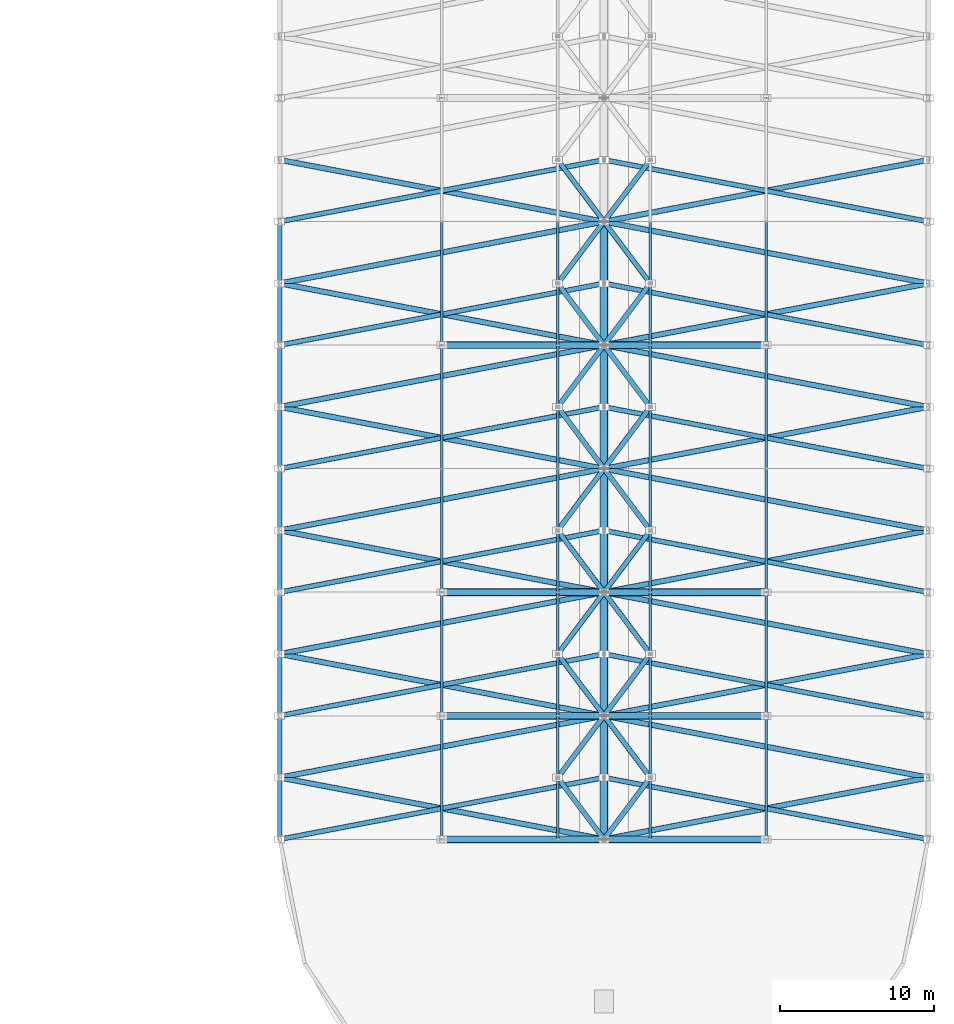
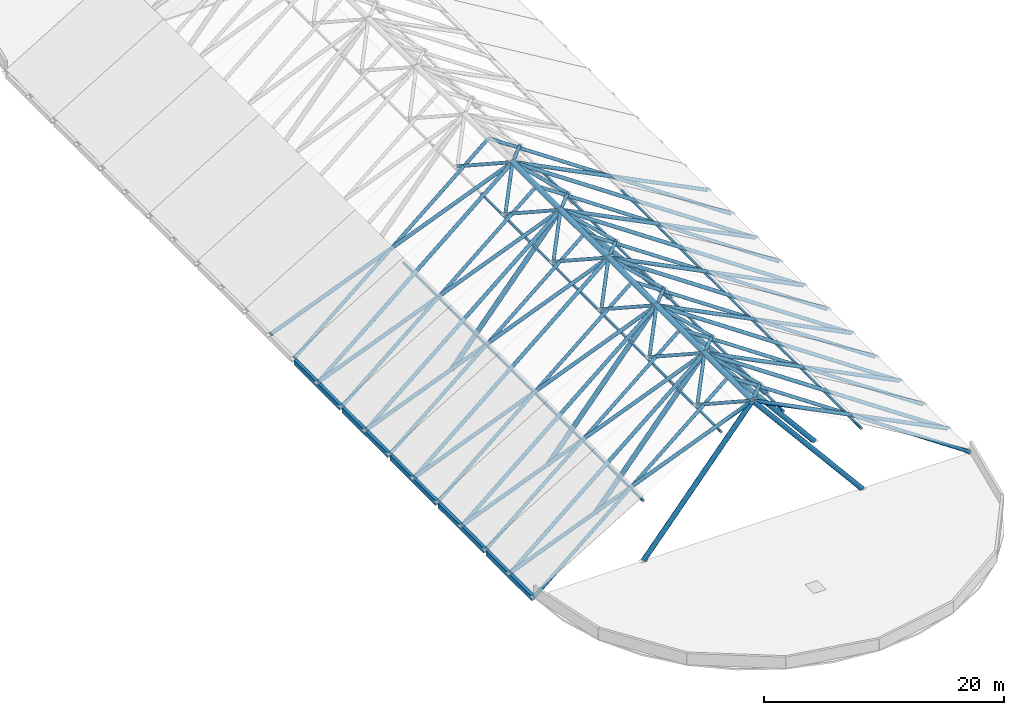
# One storey, part 5 of 44: 89 members, 5 beams.
"""IFC4 building model written with IfcOpenShell, lengths in metres."""

from ifc_helpers import new_model, si_unit, direction, frame, origin, origin_2d, place, context, subcontext, project, spatial, hollow_rectangle, hollow_circle, extrude, material, material_profile, profile_set, type_object, element, save


model = new_model("IFC4")

# Units and contexts
model_context = context("Model", 3, precision=1e-05, world=origin(), true_north=direction((0.0, 1.0)))
body_context = subcontext(model_context, "Body", "Model", "MODEL_VIEW")
ifc_project = project(units=[si_unit("LENGTHUNIT", "METRE"), si_unit("AREAUNIT", "SQUARE_METRE"), si_unit("VOLUMEUNIT", "CUBIC_METRE"), si_unit("PLANEANGLEUNIT", "RADIAN"), si_unit("MASSUNIT", "GRAM", prefix="KILO")], contexts=[model_context])

# Site, building, storey
site_placement = place(None, origin())
site = spatial("IfcSite", under=ifc_project, at=site_placement, CompositionType="ELEMENT")
building_placement = place(site_placement, origin())
building = spatial("IfcBuilding", under=site, at=building_placement, Name="Marlcrest Central Station", CompositionType="ELEMENT")
storey_placement = place(building_placement, frame((0.0, 0.0, 19.5)))
storey = spatial("IfcBuildingStorey", under=building, at=storey_placement, Name="L04", CompositionType="ELEMENT", Elevation=19.5)

# Members
ifc_material_1 = material(Name="White intumescent Steel S355", Category="steel")
ifc_material_profile_1 = material_profile(ifc_material_1, hollow_circle(Radius=0.177734375, WallThickness=0.01611328125, at=origin_2d()), Name="CHS 355.6x16")
ifc_profile_set_1 = profile_set([ifc_material_profile_1], Name="White intumescent Steel S355")
member_type_1 = type_object("IfcMemberType", Name="FB-01", PredefinedType="RAFTER", material=ifc_profile_set_1)
for number, where, z_axis, x_axis, name in (
    (1, (108.0, 22.5, 12.60009765625), (-0.846277296716, 0.161195675565, -0.507770313471), (-0.18711210789, -0.982338566422, 0.0), "mem-FB-01-L04-02387"),
    (2, (108.0, 30.5, 12.60009765625), (-0.846277296716, -0.161195675565, -0.507770313471), (0.18711210789, -0.982338566422, 0.0), "mem-FB-01-L04-02388"),
    (3, (108.0, 22.5, 12.60009765625), (0.846277296716, 0.161195675565, -0.507770313471), (-0.18711210789, 0.982338566422, 0.0), "mem-FB-01-L04-02391"),
    (4, (108.0, 30.5, 12.60009765625), (0.846277296716, -0.161195675565, -0.507770313471), (0.18711210789, 0.982338566422, 0.0), "mem-FB-01-L04-02392"),
    (5, (108.0, 30.5, 12.60009765625), (-0.846277296716, 0.161195675565, -0.507770313471), (-0.18711210789, -0.982338566422, 0.0), "mem-FB-01-L04-02402"),
    (6, (108.0, 38.5, 12.60009765625), (-0.846277296716, -0.161195675565, -0.507770313471), (0.18711210789, -0.982338566422, 0.0), "mem-FB-01-L04-02403"),
    (7, (108.0, 30.5, 12.60009765625), (0.846277296716, 0.161195675565, -0.507770313471), (-0.18711210789, 0.982338566422, 0.0), "mem-FB-01-L04-02406"),
    (8, (108.0, 38.5, 12.60009765625), (0.846277296716, -0.161195675565, -0.507770313471), (0.18711210789, 0.982338566422, 0.0), "mem-FB-01-L04-02407"),
    (9, (108.0, 38.5, 12.60009765625), (-0.846277296716, 0.161195675565, -0.507770313471), (-0.18711210789, -0.982338566422, 0.0), "mem-FB-01-L04-02417"),
    (10, (108.0, 46.5, 12.60009765625), (-0.846277296716, -0.161195675565, -0.507770313471), (0.18711210789, -0.982338566422, 0.0), "mem-FB-01-L04-02418"),
    (11, (108.0, 38.5, 12.60009765625), (0.846277296716, 0.161195675565, -0.507770313471), (-0.18711210789, 0.982338566422, 0.0), "mem-FB-01-L04-02421"),
    (12, (108.0, 46.5, 12.60009765625), (0.846277296716, -0.161195675565, -0.507770313471), (0.18711210789, 0.982338566422, 0.0), "mem-FB-01-L04-02422"),
    (13, (108.0, 46.5, 12.60009765625), (-0.846277296716, 0.161195675565, -0.507770313471), (-0.18711210789, -0.982338566422, 0.0), "mem-FB-01-L04-02432"),
    (14, (108.0, 54.5, 12.60009765625), (-0.846277296716, -0.161195675565, -0.507770313471), (0.18711210789, -0.982338566422, 0.0), "mem-FB-01-L04-02433"),
    (15, (108.0, 46.5, 12.60009765625), (0.846277296716, 0.161195675565, -0.507770313471), (-0.18711210789, 0.982338566422, 0.0), "mem-FB-01-L04-02436"),
    (16, (108.0, 54.5, 12.60009765625), (0.846277296716, -0.161195675565, -0.507770313471), (0.18711210789, 0.982338566422, 0.0), "mem-FB-01-L04-02437"),
    (17, (108.0, 54.5, 12.60009765625), (-0.846277296716, 0.161195675565, -0.507770313471), (-0.18711210789, -0.982338566422, 0.0), "mem-FB-01-L04-02447"),
    (18, (108.0, 62.5, 12.60009765625), (-0.846277296716, -0.161195675565, -0.507770313471), (0.18711210789, -0.982338566422, 0.0), "mem-FB-01-L04-02448"),
    (19, (108.0, 54.5, 12.60009765625), (0.846277296716, 0.161195675565, -0.507770313471), (-0.18711210789, 0.982338566422, 0.0), "mem-FB-01-L04-02451"),
    (20, (108.0, 62.5, 12.60009765625), (0.846277296716, -0.161195675565, -0.507770313471), (0.18711210789, 0.982338566422, 0.0), "mem-FB-01-L04-02452"),
    (21, (108.0, 62.5, 12.60009765625), (-0.846277296716, 0.161195675565, -0.507770313471), (-0.18711210789, -0.982338566422, 0.0), "mem-FB-01-L04-02462"),
    (22, (108.0, 62.5, 12.60009765625), (0.846277296716, 0.161195675565, -0.507770313471), (-0.18711210789, 0.982338566422, 0.0), "mem-FB-01-L04-02466"),
):
    element("IfcMember", number, at=place(storey_placement, frame(where, z_axis=z_axis, x_axis=x_axis)), inside=storey, type_object=member_type_1, Name=name, PredefinedType="RAFTER", context=body_context, shape_type="SweptSolid", body=[
        extrude(hollow_circle(Radius=0.177734375, WallThickness=0.01611328125, at=origin_2d()), origin(), (0.0, 0.0, 1.0), 24.814453125),
    ])
ifc_material_profile_2 = material_profile(ifc_material_1, hollow_circle(Radius=0.161865234375, WallThickness=0.01611328125, at=origin_2d()), Name="CHS 323.9x16")
ifc_profile_set_2 = profile_set([ifc_material_profile_2], Name="White intumescent Steel S355")
member_type_2 = type_object("IfcMemberType", Name="FB-02", PredefinedType="RAFTER", material=ifc_profile_set_2)
for number, where, z_axis, x_axis, name in (
    (23, (108.0, 22.5, 12.60009765625), (-0.564530690126, 0.752707586834, -0.338727602401), (-0.8, -0.6, 0.0), "mem-FB-02-L04-02382"),
    (24, (108.0, 30.5, 12.60009765625), (-0.564530690126, -0.752707586834, -0.338727602401), (0.8, -0.6, 0.0), "mem-FB-02-L04-02383"),
    (25, (108.0, 22.5, 12.60009765625), (0.564530690126, 0.752707586834, -0.338727602401), (-0.8, 0.6, 0.0), "mem-FB-02-L04-02385"),
    (26, (108.0, 30.5, 12.60009765625), (0.564530690126, -0.752707586834, -0.338727602401), (0.8, 0.6, 0.0), "mem-FB-02-L04-02386"),
):
    element("IfcMember", number, at=place(storey_placement, frame(where, z_axis=z_axis, x_axis=x_axis)), inside=storey, type_object=member_type_2, Name=name, PredefinedType="RAFTER", context=body_context, shape_type="SweptSolid", body=[
        extrude(hollow_circle(Radius=0.161865234375, WallThickness=0.01611328125, at=origin_2d()), origin(), (0.0, 0.0, 1.0), 5.314208984375),
    ])
for number, where, z_axis, x_axis, name in (
    (27, (108.0, 26.5, 12.60009765625), (-0.846277296716, -0.161195675565, -0.507770313471), (0.18711210789, -0.982338566422, 0.0), "mem-FB-02-L04-02389"),
    (28, (108.0, 26.5, 12.60009765625), (0.846277296716, -0.161195675565, -0.507770313471), (0.18711210789, 0.982338566422, 0.0), "mem-FB-02-L04-02393"),
):
    element("IfcMember", number, at=place(storey_placement, frame(where, z_axis=z_axis, x_axis=x_axis)), inside=storey, type_object=member_type_2, Name=name, PredefinedType="RAFTER", context=body_context, shape_type="SweptSolid", body=[
        extrude(hollow_circle(Radius=0.161865234375, WallThickness=0.01611328125, at=origin_2d()), origin(), (0.0, 0.0, 1.0), 24.814453125),
    ])
for number, where, z_axis, x_axis, name in (
    (29, (108.0, 30.5, 12.60009765625), (-0.564530690126, 0.752707586834, -0.338727602401), (-0.8, -0.6, 0.0), "mem-FB-02-L04-02397"),
    (30, (108.0, 38.5, 12.60009765625), (-0.564530690126, -0.752707586834, -0.338727602401), (0.8, -0.6, 0.0), "mem-FB-02-L04-02398"),
    (31, (108.0, 30.5, 12.60009765625), (0.564530690126, 0.752707586834, -0.338727602401), (-0.8, 0.6, 0.0), "mem-FB-02-L04-02400"),
    (32, (108.0, 38.5, 12.60009765625), (0.564530690126, -0.752707586834, -0.338727602401), (0.8, 0.6, 0.0), "mem-FB-02-L04-02401"),
):
    element("IfcMember", number, at=place(storey_placement, frame(where, z_axis=z_axis, x_axis=x_axis)), inside=storey, type_object=member_type_2, Name=name, PredefinedType="RAFTER", context=body_context, shape_type="SweptSolid", body=[
        extrude(hollow_circle(Radius=0.161865234375, WallThickness=0.01611328125, at=origin_2d()), origin(), (0.0, 0.0, 1.0), 5.314208984375),
    ])
for number, where, z_axis, x_axis, name in (
    (33, (108.0, 34.5, 12.60009765625), (-0.846277296716, -0.161195675565, -0.507770313471), (0.18711210789, -0.982338566422, 0.0), "mem-FB-02-L04-02404"),
    (34, (108.0, 34.5, 12.60009765625), (0.846277296716, -0.161195675565, -0.507770313471), (0.18711210789, 0.982338566422, 0.0), "mem-FB-02-L04-02408"),
):
    element("IfcMember", number, at=place(storey_placement, frame(where, z_axis=z_axis, x_axis=x_axis)), inside=storey, type_object=member_type_2, Name=name, PredefinedType="RAFTER", context=body_context, shape_type="SweptSolid", body=[
        extrude(hollow_circle(Radius=0.161865234375, WallThickness=0.01611328125, at=origin_2d()), origin(), (0.0, 0.0, 1.0), 24.814453125),
    ])
for number, where, z_axis, x_axis, name in (
    (35, (108.0, 38.5, 12.60009765625), (-0.564530690126, 0.752707586834, -0.338727602401), (-0.8, -0.6, 0.0), "mem-FB-02-L04-02412"),
    (36, (108.0, 46.5, 12.60009765625), (-0.564530690126, -0.752707586834, -0.338727602401), (0.8, -0.6, 0.0), "mem-FB-02-L04-02413"),
    (37, (108.0, 38.5, 12.60009765625), (0.564530690126, 0.752707586834, -0.338727602401), (-0.8, 0.6, 0.0), "mem-FB-02-L04-02415"),
    (38, (108.0, 46.5, 12.60009765625), (0.564530690126, -0.752707586834, -0.338727602401), (0.8, 0.6, 0.0), "mem-FB-02-L04-02416"),
):
    element("IfcMember", number, at=place(storey_placement, frame(where, z_axis=z_axis, x_axis=x_axis)), inside=storey, type_object=member_type_2, Name=name, PredefinedType="RAFTER", context=body_context, shape_type="SweptSolid", body=[
        extrude(hollow_circle(Radius=0.161865234375, WallThickness=0.01611328125, at=origin_2d()), origin(), (0.0, 0.0, 1.0), 5.314208984375),
    ])
for number, where, z_axis, x_axis, name in (
    (39, (108.0, 42.5, 12.60009765625), (-0.846277296716, -0.161195675565, -0.507770313471), (0.18711210789, -0.982338566422, 0.0), "mem-FB-02-L04-02419"),
    (40, (108.0, 42.5, 12.60009765625), (0.846277296716, -0.161195675565, -0.507770313471), (0.18711210789, 0.982338566422, 0.0), "mem-FB-02-L04-02423"),
):
    element("IfcMember", number, at=place(storey_placement, frame(where, z_axis=z_axis, x_axis=x_axis)), inside=storey, type_object=member_type_2, Name=name, PredefinedType="RAFTER", context=body_context, shape_type="SweptSolid", body=[
        extrude(hollow_circle(Radius=0.161865234375, WallThickness=0.01611328125, at=origin_2d()), origin(), (0.0, 0.0, 1.0), 24.814453125),
    ])
for number, where, z_axis, x_axis, name in (
    (41, (108.0, 46.5, 12.60009765625), (-0.564530690126, 0.752707586834, -0.338727602401), (-0.8, -0.6, 0.0), "mem-FB-02-L04-02427"),
    (42, (108.0, 54.5, 12.60009765625), (-0.564530690126, -0.752707586834, -0.338727602401), (0.8, -0.6, 0.0), "mem-FB-02-L04-02428"),
    (43, (108.0, 46.5, 12.60009765625), (0.564530690126, 0.752707586834, -0.338727602401), (-0.8, 0.6, 0.0), "mem-FB-02-L04-02430"),
    (44, (108.0, 54.5, 12.60009765625), (0.564530690126, -0.752707586834, -0.338727602401), (0.8, 0.6, 0.0), "mem-FB-02-L04-02431"),
):
    element("IfcMember", number, at=place(storey_placement, frame(where, z_axis=z_axis, x_axis=x_axis)), inside=storey, type_object=member_type_2, Name=name, PredefinedType="RAFTER", context=body_context, shape_type="SweptSolid", body=[
        extrude(hollow_circle(Radius=0.161865234375, WallThickness=0.01611328125, at=origin_2d()), origin(), (0.0, 0.0, 1.0), 5.314208984375),
    ])
for number, where, z_axis, x_axis, name in (
    (45, (108.0, 50.5, 12.60009765625), (-0.846277296716, -0.161195675565, -0.507770313471), (0.18711210789, -0.982338566422, 0.0), "mem-FB-02-L04-02434"),
    (46, (108.0, 50.5, 12.60009765625), (0.846277296716, -0.161195675565, -0.507770313471), (0.18711210789, 0.982338566422, 0.0), "mem-FB-02-L04-02438"),
):
    element("IfcMember", number, at=place(storey_placement, frame(where, z_axis=z_axis, x_axis=x_axis)), inside=storey, type_object=member_type_2, Name=name, PredefinedType="RAFTER", context=body_context, shape_type="SweptSolid", body=[
        extrude(hollow_circle(Radius=0.161865234375, WallThickness=0.01611328125, at=origin_2d()), origin(), (0.0, 0.0, 1.0), 24.814453125),
    ])
for number, where, z_axis, x_axis, name in (
    (47, (108.0, 54.5, 12.60009765625), (-0.564530690126, 0.752707586834, -0.338727602401), (-0.8, -0.6, 0.0), "mem-FB-02-L04-02442"),
    (48, (108.0, 62.5, 12.60009765625), (-0.564530690126, -0.752707586834, -0.338727602401), (0.8, -0.6, 0.0), "mem-FB-02-L04-02443"),
    (49, (108.0, 54.5, 12.60009765625), (0.564530690126, 0.752707586834, -0.338727602401), (-0.8, 0.6, 0.0), "mem-FB-02-L04-02445"),
    (50, (108.0, 62.5, 12.60009765625), (0.564530690126, -0.752707586834, -0.338727602401), (0.8, 0.6, 0.0), "mem-FB-02-L04-02446"),
):
    element("IfcMember", number, at=place(storey_placement, frame(where, z_axis=z_axis, x_axis=x_axis)), inside=storey, type_object=member_type_2, Name=name, PredefinedType="RAFTER", context=body_context, shape_type="SweptSolid", body=[
        extrude(hollow_circle(Radius=0.161865234375, WallThickness=0.01611328125, at=origin_2d()), origin(), (0.0, 0.0, 1.0), 5.314208984375),
    ])
for number, where, z_axis, x_axis, name in (
    (51, (108.0, 58.5, 12.60009765625), (-0.846277296716, -0.161195675565, -0.507770313471), (0.18711210789, -0.982338566422, 0.0), "mem-FB-02-L04-02449"),
    (52, (108.0, 58.5, 12.60009765625), (0.846277296716, -0.161195675565, -0.507770313471), (0.18711210789, 0.982338566422, 0.0), "mem-FB-02-L04-02453"),
):
    element("IfcMember", number, at=place(storey_placement, frame(where, z_axis=z_axis, x_axis=x_axis)), inside=storey, type_object=member_type_2, Name=name, PredefinedType="RAFTER", context=body_context, shape_type="SweptSolid", body=[
        extrude(hollow_circle(Radius=0.161865234375, WallThickness=0.01611328125, at=origin_2d()), origin(), (0.0, 0.0, 1.0), 24.814453125),
    ])
for number, where, z_axis, x_axis, name in (
    (53, (108.0, 62.5, 12.60009765625), (-0.564530690126, 0.752707586834, -0.338727602401), (-0.8, -0.6, 0.0), "mem-FB-02-L04-02457"),
    (54, (108.0, 62.5, 12.60009765625), (0.564530690126, 0.752707586834, -0.338727602401), (-0.8, 0.6, 0.0), "mem-FB-02-L04-02460"),
):
    element("IfcMember", number, at=place(storey_placement, frame(where, z_axis=z_axis, x_axis=x_axis)), inside=storey, type_object=member_type_2, Name=name, PredefinedType="RAFTER", context=body_context, shape_type="SweptSolid", body=[
        extrude(hollow_circle(Radius=0.161865234375, WallThickness=0.01611328125, at=origin_2d()), origin(), (0.0, 0.0, 1.0), 5.314208984375),
    ])
for number, where, z_axis, x_axis, name in (
    (55, (108.0, 66.5, 12.60009765625), (-0.846277296716, -0.161195675565, -0.507770313471), (0.18711210789, -0.982338566422, 0.0), "mem-FB-02-L04-02464"),
    (56, (108.0, 66.5, 12.60009765625), (0.846277296716, -0.161195675565, -0.507770313471), (0.18711210789, 0.982338566422, 0.0), "mem-FB-02-L04-02468"),
):
    element("IfcMember", number, at=place(storey_placement, frame(where, z_axis=z_axis, x_axis=x_axis)), inside=storey, type_object=member_type_2, Name=name, PredefinedType="RAFTER", context=body_context, shape_type="SweptSolid", body=[
        extrude(hollow_circle(Radius=0.161865234375, WallThickness=0.01611328125, at=origin_2d()), origin(), (0.0, 0.0, 1.0), 24.814453125),
    ])
ifc_material_profile_3 = material_profile(ifc_material_1, hollow_rectangle(XDim=0.179931640625, YDim=0.179931640625, WallThickness=0.010009765625, at=origin_2d()), Name="SHS 180x180x10")
ifc_profile_set_3 = profile_set([ifc_material_profile_3], Name="White intumescent Steel S355")
member_type_3 = type_object("IfcMemberType", Name="PR-03", PredefinedType="PURLIN", material=ifc_profile_set_3)
for number, where, z_axis, x_axis, name in (
    (57, (105.0, 22.5, 10.449951171875), (0.0, 1.0, 0.0), (-1.0, 0.0, 0.0), "mem-PR-03-L04-02381"),
    (58, (111.0, 22.5, 10.449951171875), (0.0, 1.0, 0.0), (-1.0, 0.0, 0.0), "mem-PR-03-L04-02384"),
    (59, (97.5, 22.5, 6.080078125), (0.0, 1.0, 0.0), (-1.0, 0.0, 0.0), "mem-PR-03-L04-02390"),
    (60, (118.5, 22.5, 6.080078125), (0.0, 1.0, 0.0), (-1.0, 0.0, 0.0), "mem-PR-03-L04-02394"),
    (61, (105.0, 30.5, 10.449951171875), (0.0, 1.0, 0.0), (-1.0, 0.0, 0.0), "mem-PR-03-L04-02396"),
    (62, (111.0, 30.5, 10.449951171875), (0.0, 1.0, 0.0), (-1.0, 0.0, 0.0), "mem-PR-03-L04-02399"),
    (63, (97.5, 30.5, 6.080078125), (0.0, 1.0, 0.0), (-1.0, 0.0, 0.0), "mem-PR-03-L04-02405"),
    (64, (118.5, 30.5, 6.080078125), (0.0, 1.0, 0.0), (-1.0, 0.0, 0.0), "mem-PR-03-L04-02409"),
    (65, (105.0, 38.5, 10.449951171875), (0.0, 1.0, 0.0), (-1.0, 0.0, 0.0), "mem-PR-03-L04-02411"),
    (66, (111.0, 38.5, 10.449951171875), (0.0, 1.0, 0.0), (-1.0, 0.0, 0.0), "mem-PR-03-L04-02414"),
    (67, (97.5, 38.5, 6.080078125), (0.0, 1.0, 0.0), (-1.0, 0.0, 0.0), "mem-PR-03-L04-02420"),
    (68, (118.5, 38.5, 6.080078125), (0.0, 1.0, 0.0), (-1.0, 0.0, 0.0), "mem-PR-03-L04-02424"),
    (69, (105.0, 46.5, 10.449951171875), (0.0, 1.0, 0.0), (-1.0, 0.0, 0.0), "mem-PR-03-L04-02426"),
    (70, (111.0, 46.5, 10.449951171875), (0.0, 1.0, 0.0), (-1.0, 0.0, 0.0), "mem-PR-03-L04-02429"),
    (71, (97.5, 46.5, 6.080078125), (0.0, 1.0, 0.0), (-1.0, 0.0, 0.0), "mem-PR-03-L04-02435"),
    (72, (118.5, 46.5, 6.080078125), (0.0, 1.0, 0.0), (-1.0, 0.0, 0.0), "mem-PR-03-L04-02439"),
    (73, (105.0, 54.5, 10.449951171875), (0.0, 1.0, 0.0), (-1.0, 0.0, 0.0), "mem-PR-03-L04-02441"),
    (74, (111.0, 54.5, 10.449951171875), (0.0, 1.0, 0.0), (-1.0, 0.0, 0.0), "mem-PR-03-L04-02444"),
    (75, (97.5, 54.5, 6.080078125), (0.0, 1.0, 0.0), (-1.0, 0.0, 0.0), "mem-PR-03-L04-02450"),
    (76, (118.5, 54.5, 6.080078125), (0.0, 1.0, 0.0), (-1.0, 0.0, 0.0), "mem-PR-03-L04-02454"),
):
    element("IfcMember", number, at=place(storey_placement, frame(where, z_axis=z_axis, x_axis=x_axis)), inside=storey, type_object=member_type_3, Name=name, PredefinedType="PURLIN", context=body_context, shape_type="SweptSolid", body=[
        extrude(hollow_rectangle(XDim=0.179931640625, YDim=0.179931640625, WallThickness=0.010009765625, at=origin_2d()), origin(), (0.0, 0.0, 1.0), 8.0),
    ])
ifc_material_profile_4 = material_profile(ifc_material_1, hollow_circle(Radius=0.25390625, WallThickness=0.02490234375, at=origin_2d()), Name="CHS 508x25")
ifc_profile_set_4 = profile_set([ifc_material_profile_4], Name="White intumescent Steel S355")
member_type_4 = type_object("IfcMemberType", Name="SC-SP", PredefinedType="CHORD", material=ifc_profile_set_4)
for number, where, z_axis, x_axis, name in (
    (77, (108.0, 22.5, 12.60009765625), (0.0, 1.0, 0.0), (-1.0, 0.0, 0.0), "mem-SC-SP-L04-02380"),
    (78, (108.0, 30.5, 12.60009765625), (0.0, 1.0, 0.0), (-1.0, 0.0, 0.0), "mem-SC-SP-L04-02395"),
    (79, (108.0, 38.5, 12.60009765625), (0.0, 1.0, 0.0), (-1.0, 0.0, 0.0), "mem-SC-SP-L04-02410"),
    (80, (108.0, 46.5, 12.60009765625), (0.0, 1.0, 0.0), (-1.0, 0.0, 0.0), "mem-SC-SP-L04-02425"),
    (81, (108.0, 54.5, 12.60009765625), (0.0, 1.0, 0.0), (-1.0, 0.0, 0.0), "mem-SC-SP-L04-02440"),
):
    element("IfcMember", number, at=place(storey_placement, frame(where, z_axis=z_axis, x_axis=x_axis)), inside=storey, type_object=member_type_4, Name=name, PredefinedType="CHORD", context=body_context, shape_type="SweptSolid", body=[
        extrude(hollow_circle(Radius=0.25390625, WallThickness=0.02490234375, at=origin_2d()), origin(), (0.0, 0.0, 1.0), 8.0),
    ])

# Beams
ifc_material_2 = material(Name="Steel S355", Category="steel")
ifc_material_profile_5 = material_profile(ifc_material_2, hollow_rectangle(XDim=0.300048828125, YDim=0.5, WallThickness=0.02001953125, at=origin_2d()), Name="RHS 500x300x20")
ifc_profile_set_5 = profile_set([ifc_material_profile_5], Name="Steel S355")
beam_type = type_object("IfcBeamType", Name="SP-03", PredefinedType="SPANDREL", material=ifc_profile_set_5)
for number, where, z_axis, x_axis, name in (
    (82, (87.0, 22.699951171875, -0.25), (0.0, 1.0, 0.0), (-1.0, 0.0, 0.0), "bm-SP-03-L04-01232"),
    (83, (87.0, 30.699951171875, -0.25), (0.0, 1.0, 0.0), (-1.0, 0.0, 0.0), "bm-SP-03-L04-01247"),
    (84, (87.0, 38.699951171875, -0.25), (0.0, 1.0, 0.0), (-1.0, 0.0, 0.0), "bm-SP-03-L04-01256"),
    (85, (87.0, 46.699951171875, -0.25), (0.0, 1.0, 0.0), (-1.0, 0.0, 0.0), "bm-SP-03-L04-01261"),
    (86, (87.0, 54.699951171875, -0.25), (0.0, 1.0, 0.0), (-1.0, 0.0, 0.0), "bm-SP-03-L04-01265"),
):
    element("IfcBeam", number, at=place(storey_placement, frame(where, z_axis=z_axis, x_axis=x_axis)), inside=storey, type_object=beam_type, Name=name, PredefinedType="SPANDREL", context=body_context, shape_type="SweptSolid", body=[
        extrude(hollow_rectangle(XDim=0.300048828125, YDim=0.5, WallThickness=0.02001953125, at=origin_2d()), origin(), (0.0, 0.0, 1.0), 7.60009765625),
    ])

# Members
ifc_material_profile_6 = material_profile(ifc_material_1, hollow_circle(Radius=0.228515625, WallThickness=0.02001953125, at=origin_2d()), Name="CHS 457x20")
ifc_profile_set_6 = profile_set([ifc_material_profile_6], Name="White intumescent Steel S355")
member_type_5 = type_object("IfcMemberType", Name="ST-01", PredefinedType="STRUT", material=ifc_profile_set_6)
for number, where, z_axis, x_axis, name in (
    (87, (97.5, 22.5, 0.0), (0.640181471429, 0.0, 0.768223719784), (0.0, 1.0, 0.0), "mem-ST-01-L04-02364"),
    (88, (118.5, 22.5, 0.0), (-0.640181471429, 0.0, 0.768223719784), (0.0, -1.0, 0.0), "mem-ST-01-L04-02365"),
    (89, (97.5, 30.5, 0.0), (0.640181471429, 0.0, 0.768223719784), (0.0, 1.0, 0.0), "mem-ST-01-L04-02366"),
    (90, (118.5, 30.5, 0.0), (-0.640181471429, 0.0, 0.768223719784), (0.0, -1.0, 0.0), "mem-ST-01-L04-02367"),
    (91, (97.5, 38.5, 0.0), (0.640181471429, 0.0, 0.768223719784), (0.0, 1.0, 0.0), "mem-ST-01-L04-02368"),
    (92, (118.5, 38.5, 0.0), (-0.640181471429, 0.0, 0.768223719784), (0.0, -1.0, 0.0), "mem-ST-01-L04-02369"),
    (93, (97.5, 54.5, 0.0), (0.640181471429, 0.0, 0.768223719784), (0.0, 1.0, 0.0), "mem-ST-01-L04-02370"),
    (94, (118.5, 54.5, 0.0), (-0.640181471429, 0.0, 0.768223719784), (0.0, -1.0, 0.0), "mem-ST-01-L04-02371"),
):
    element("IfcMember", number, at=place(storey_placement, frame(where, z_axis=z_axis, x_axis=x_axis)), inside=storey, type_object=member_type_5, Name=name, PredefinedType="STRUT", context=body_context, shape_type="SweptSolid", body=[
        extrude(hollow_circle(Radius=0.228515625, WallThickness=0.02001953125, at=origin_2d()), origin(), (0.0, 0.0, 1.0), 16.401611328125),
    ])

save(model, "model.ifc")
